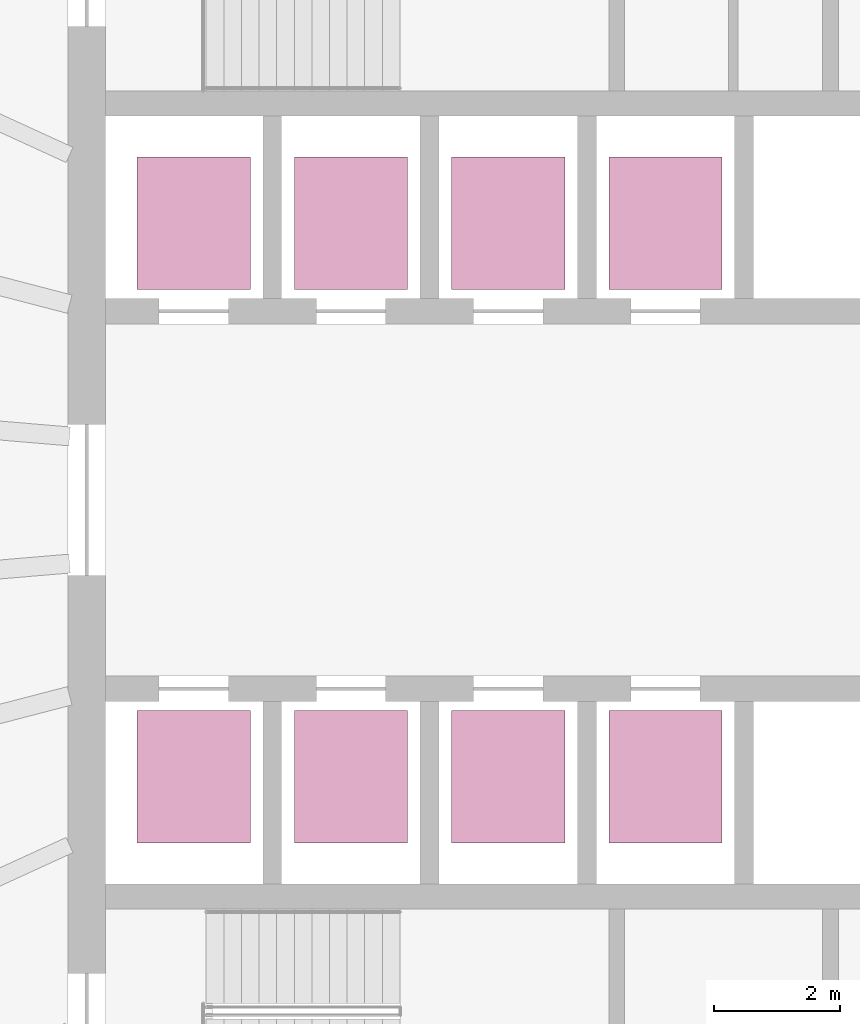
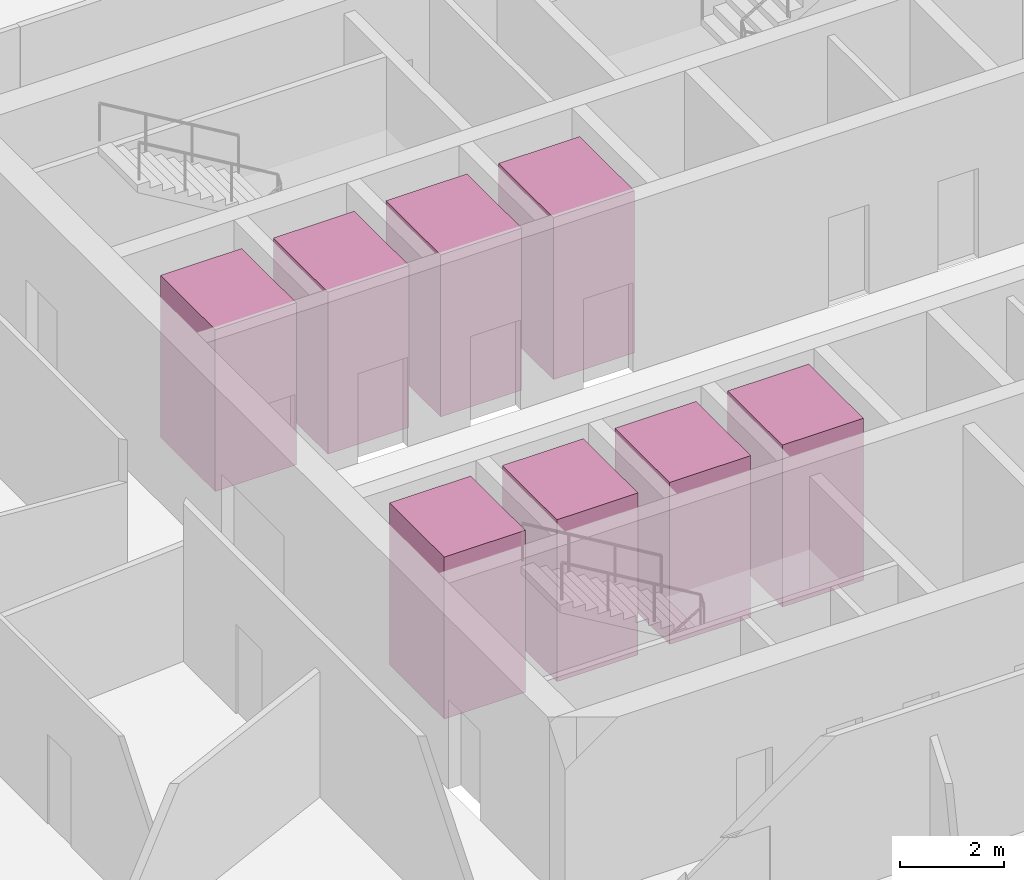
# One storey, part 10 of 10: 8 transport elements.
"""IFC4 building model written with IfcOpenShell, lengths in metres."""

import ifcopenshell
import ifcopenshell.guid

model = None  # the IFC model being written
_history = None  # IfcOwnerHistory: only IFC2X3 demands one
_inside = {}  # id of a spatial element -> (the spatial element, [elements in it])
_under = {}  # id of a project, library or spatial element -> (it, [spatial elements below it])
_declared = {}  # id of a project -> (the project, [libraries it declares])
_typed = {}  # id of a type object -> (the type object, [elements of that type])
_made_of = {}  # id of a material, layer set ... -> (it, [elements and type objects made of it])


def new_model(schema):
    """Start an empty IFC model of exactly this schema.

    Asked for "IFC4X3", IfcOpenShell would pick the latest addendum, in which some entities
    have other attributes; the version numbers below select the first issue.
    IFC2X3 requires an IfcOwnerHistory on every rooted entity: one is made here for all.
    """
    global model, _history
    if schema == "IFC4X3":
        model = ifcopenshell.file(schema_version=(4, 3, 0, 0))
    else:
        model = ifcopenshell.file(schema=schema)
    _inside.clear()
    _under.clear()
    _declared.clear()
    _typed.clear()
    _made_of.clear()
    _history = None
    if model.schema == "IFC2X3":
        org = make("IfcOrganization", Name="unknown")
        user = make(
            "IfcPersonAndOrganization",
            ThePerson=make("IfcPerson", FamilyName="unknown"),
            TheOrganization=org,
        )
        app = make(
            "IfcApplication",
            ApplicationDeveloper=org,
            Version="unknown",
            ApplicationFullName="unknown",
            ApplicationIdentifier="unknown",
        )
        _history = make(
            "IfcOwnerHistory",
            OwningUser=user,
            OwningApplication=app,
            ChangeAction="ADDED",
            CreationDate=0,
        )
    return model


def make(cls, **values):
    """One entity of the class cls with the attributes given. An attribute that is None is left unset."""
    return model.create_entity(
        cls, **{name: value for name, value in values.items() if value is not None}
    )


def rooted(cls, **values):
    """An entity with a GlobalId (a new one), such as an element, a storey or a relation."""
    return make(cls, GlobalId=ifcopenshell.guid.new(), OwnerHistory=_history, **values)


def si_unit(unit_type, name, prefix=None):
    """IfcSIUnit, for example si_unit("LENGTHUNIT", "METRE", prefix="MILLI")."""
    return make("IfcSIUnit", UnitType=unit_type, Prefix=prefix, Name=name)


def assignment(units):
    """IfcUnitAssignment: the units of a project."""
    return None if units is None else make("IfcUnitAssignment", Units=units)


def point(xyz):
    """IfcCartesianPoint."""
    return None if xyz is None else make("IfcCartesianPoint", Coordinates=xyz)


def direction(xyz):
    """IfcDirection."""
    return None if xyz is None else make("IfcDirection", DirectionRatios=xyz)


def frame(location, z_axis=None, x_axis=None):
    """IfcAxis2Placement3D, a coordinate frame: its origin and axes. An axis left out is left unset."""
    return make(
        "IfcAxis2Placement3D",
        Location=point(location),
        Axis=direction(z_axis),
        RefDirection=direction(x_axis),
    )


def frame_2d(location, x_axis=None):
    """IfcAxis2Placement2D, a coordinate frame in the plane: its origin and x axis."""
    return make(
        "IfcAxis2Placement2D", Location=point(location), RefDirection=direction(x_axis)
    )


def origin():
    """The frame at (0, 0, 0) with its axes left unset."""
    return frame((0.0, 0.0, 0.0))


def origin_2d():
    """The frame at (0, 0) in the plane with its x axis left unset."""
    return frame_2d((0.0, 0.0))


def place(relative_to, where):
    """IfcLocalPlacement: puts the frame where relative to a parent placement (None: the world)."""
    return make(
        "IfcLocalPlacement", PlacementRelTo=relative_to, RelativePlacement=where
    )


def context(
    kind, dimensions, precision=None, world=None, true_north=None, identifier=None
):
    """IfcGeometricRepresentationContext, for example the 3D "Model" context."""
    return make(
        "IfcGeometricRepresentationContext",
        ContextIdentifier=identifier,
        ContextType=kind,
        CoordinateSpaceDimension=dimensions,
        Precision=precision,
        WorldCoordinateSystem=world,
        TrueNorth=true_north,
    )


def subcontext(parent, identifier, kind, view, scale=None):
    """IfcGeometricRepresentationSubContext, for example "Body" below "Model"."""
    return make(
        "IfcGeometricRepresentationSubContext",
        ContextIdentifier=identifier,
        ContextType=kind,
        ParentContext=parent,
        TargetScale=scale,
        TargetView=view,
    )


def project(units=None, contexts=None):
    """IfcProject with its units and contexts."""
    return rooted(
        "IfcProject",
        Name="project",
        RepresentationContexts=contexts,
        UnitsInContext=assignment(units),
    )


def spatial(cls, under=None, at=None, **own):
    """A site, building, storey or space (cls), placed at a placement, below another one or the project."""
    s = rooted(cls, ObjectPlacement=at, **own)
    if under is not None:
        _under.setdefault(under.id(), (under, []))[1].append(s)
    return s


def profile(cls, at=None, kind="AREA", **sizes):
    """A parametric profile (cls). Its sizes go by their IFC names, for example OverallWidth=200.0."""
    return make(cls, ProfileType=kind, Position=at, **sizes)


def rectangle(**sizes):
    """IfcRectangleProfileDef."""
    return profile("IfcRectangleProfileDef", **sizes)


def extrude(swept, where, along, depth):
    """IfcExtrudedAreaSolid: the profile swept, set in the frame where, extruded along a direction by depth."""
    return make(
        "IfcExtrudedAreaSolid",
        SweptArea=swept,
        Position=where,
        ExtrudedDirection=direction(along),
        Depth=depth,
    )


def shape(context_of_items, identifier, shape_type, items):
    """IfcShapeRepresentation: the items that make up one representation, for example the "Body"."""
    return make(
        "IfcShapeRepresentation",
        ContextOfItems=context_of_items,
        RepresentationIdentifier=identifier,
        RepresentationType=shape_type,
        Items=items,
    )


def material(Name=None, Category=None):
    """IfcMaterial."""
    return make("IfcMaterial", Name=Name, Category=Category)


def made_of(thing, what):
    """Note that an element or type object is made of a material, layer set ...; save() writes the relation."""
    if what is not None:
        _made_of.setdefault(what.id(), (what, []))[1].append(thing)
    return thing


def type_object(cls, material=None, **own):
    """A type object (cls), such as IfcWallType, which elements share."""
    return made_of(rooted(cls, **own), material)


def element(
    cls,
    number,
    at=None,
    inside=None,
    cuts=None,
    type_object=None,
    material=None,
    context=None,
    identifier="Body",
    shape_type=None,
    held_by="IfcProductDefinitionShape",
    body=None,
    shapes=None,
    **own,
):
    """One element of the class cls, such as IfcWall. Its Tag is "e" and its number.

    at: its placement. inside: the storey or other place that contains it. cuts: it is an
    opening in that element (IfcRelVoidsElement). A single representation is given by context,
    identifier, shape_type and body (its items); several are given by shapes. held_by: the class
    of the entity that holds the representations. save() writes the other relations.
    """
    e = rooted(cls, Tag="e%d" % number, ObjectPlacement=at, **own)
    if body is not None:
        shapes = [shape(context, identifier, shape_type, body)]
    if shapes is not None:
        e.Representation = make(held_by, Representations=shapes)
    if inside is not None:
        _inside.setdefault(inside.id(), (inside, []))[1].append(e)
    if cuts is not None:
        rooted(
            "IfcRelVoidsElement", RelatingBuildingElement=cuts, RelatedOpeningElement=e
        )
    if type_object is not None:
        _typed.setdefault(type_object.id(), (type_object, []))[1].append(e)
    return made_of(e, material)


def aggregate(whole, parts):
    """IfcRelAggregates: a whole, such as a stair, and the parts it consists of."""
    return rooted("IfcRelAggregates", RelatingObject=whole, RelatedObjects=parts)


def save(model, path):
    """Write the relations noted so far, then the file.

    IfcRelAggregates (storeys below a building ...), IfcRelContainedInSpatialStructure (elements
    in a storey), IfcRelDefinesByType, IfcRelAssociatesMaterial and IfcRelDeclares: one each for
    every whole, place, type object, material and project.
    """
    for whole, parts in _under.values():
        aggregate(whole, parts)
    for where, things in _inside.values():
        rooted(
            "IfcRelContainedInSpatialStructure",
            RelatedElements=things,
            RelatingStructure=where,
        )
    for kind, things in _typed.values():
        rooted("IfcRelDefinesByType", RelatedObjects=things, RelatingType=kind)
    for what, things in _made_of.values():
        rooted("IfcRelAssociatesMaterial", RelatedObjects=things, RelatingMaterial=what)
    for by, libraries in _declared.values():
        rooted("IfcRelDeclares", RelatingContext=by, RelatedDefinitions=libraries)
    model.write(path)


model = new_model("IFC4")

# Units and contexts
model_context = context("Model", 3, precision=1e-05, world=origin(), true_north=direction((0.0, 1.0)))
body_context = subcontext(model_context, "Body", "Model", "MODEL_VIEW")
ifc_project = project(units=[si_unit("LENGTHUNIT", "METRE"), si_unit("AREAUNIT", "SQUARE_METRE"), si_unit("VOLUMEUNIT", "CUBIC_METRE"), si_unit("PLANEANGLEUNIT", "RADIAN"), si_unit("MASSUNIT", "GRAM", prefix="KILO")], contexts=[model_context])

# Site, building, storey
site_placement = place(None, origin())
site = spatial("IfcSite", under=ifc_project, at=site_placement, CompositionType="ELEMENT")
building_placement = place(site_placement, origin())
building = spatial("IfcBuilding", under=site, at=building_placement, Name="Halqa Exchange Tower", CompositionType="ELEMENT")
storey_placement = place(building_placement, frame((0.0, 0.0, 210.89990234375)))
storey = spatial("IfcBuildingStorey", under=building, at=storey_placement, Name="L48", CompositionType="ELEMENT", Elevation=210.89990234375)

# Transport elements
ifc_material = material(Name="Stainless steel", Category="steel")
transport_element_type_1 = type_object("IfcTransportElementType", Name="High-rise passenger lift 1800 x 2100", PredefinedType="ELEVATOR", material=ifc_material)
for number, where, z_axis, x_axis, name in (
    (1, (-10.0, 4.39990234375, 0.0), (0.0, 0.0, 1.0), (1.0, 0.0, 0.0), "High-rise passenger lift HR1"),
    (2, (-7.5, 4.39990234375, 0.0), (0.0, 0.0, 1.0), (1.0, 0.0, 0.0), "High-rise passenger lift HR2"),
    (3, (-10.0, -4.39990234375, 0.0), (0.0, 0.0, 1.0), (1.0, 0.0, 0.0), "High-rise passenger lift HR3"),
    (4, (-7.5, -4.39990234375, 0.0), (0.0, 0.0, 1.0), (1.0, 0.0, 0.0), "High-rise passenger lift HR4"),
):
    element("IfcTransportElement", number, at=place(storey_placement, frame(where, z_axis=z_axis, x_axis=x_axis)), inside=storey, type_object=transport_element_type_1, Name=name, PredefinedType="ELEVATOR", context=body_context, shape_type="SweptSolid", body=[
        extrude(rectangle(XDim=1.800048828125, YDim=2.10009765625, at=origin_2d()), origin(), (0.0, 0.0, 1.0), 3.800048828125),
    ])
transport_element_type_2 = type_object("IfcTransportElementType", Name="Mid-rise passenger lift 1800 x 2100", PredefinedType="ELEVATOR", material=ifc_material)
for number, where, z_axis, x_axis, name in (
    (5, (-5.0, 4.39990234375, 0.0), (0.0, 0.0, 1.0), (1.0, 0.0, 0.0), "Mid-rise passenger lift MR1"),
    (6, (-2.5, 4.39990234375, 0.0), (0.0, 0.0, 1.0), (1.0, 0.0, 0.0), "Mid-rise passenger lift MR2"),
    (7, (-5.0, -4.39990234375, 0.0), (0.0, 0.0, 1.0), (1.0, 0.0, 0.0), "Mid-rise passenger lift MR3"),
    (8, (-2.5, -4.39990234375, 0.0), (0.0, 0.0, 1.0), (1.0, 0.0, 0.0), "Mid-rise passenger lift MR4"),
):
    element("IfcTransportElement", number, at=place(storey_placement, frame(where, z_axis=z_axis, x_axis=x_axis)), inside=storey, type_object=transport_element_type_2, Name=name, PredefinedType="ELEVATOR", context=body_context, shape_type="SweptSolid", body=[
        extrude(rectangle(XDim=1.800048828125, YDim=2.10009765625, at=origin_2d()), origin(), (0.0, 0.0, 1.0), 3.800048828125),
    ])

save(model, "model.ifc")
